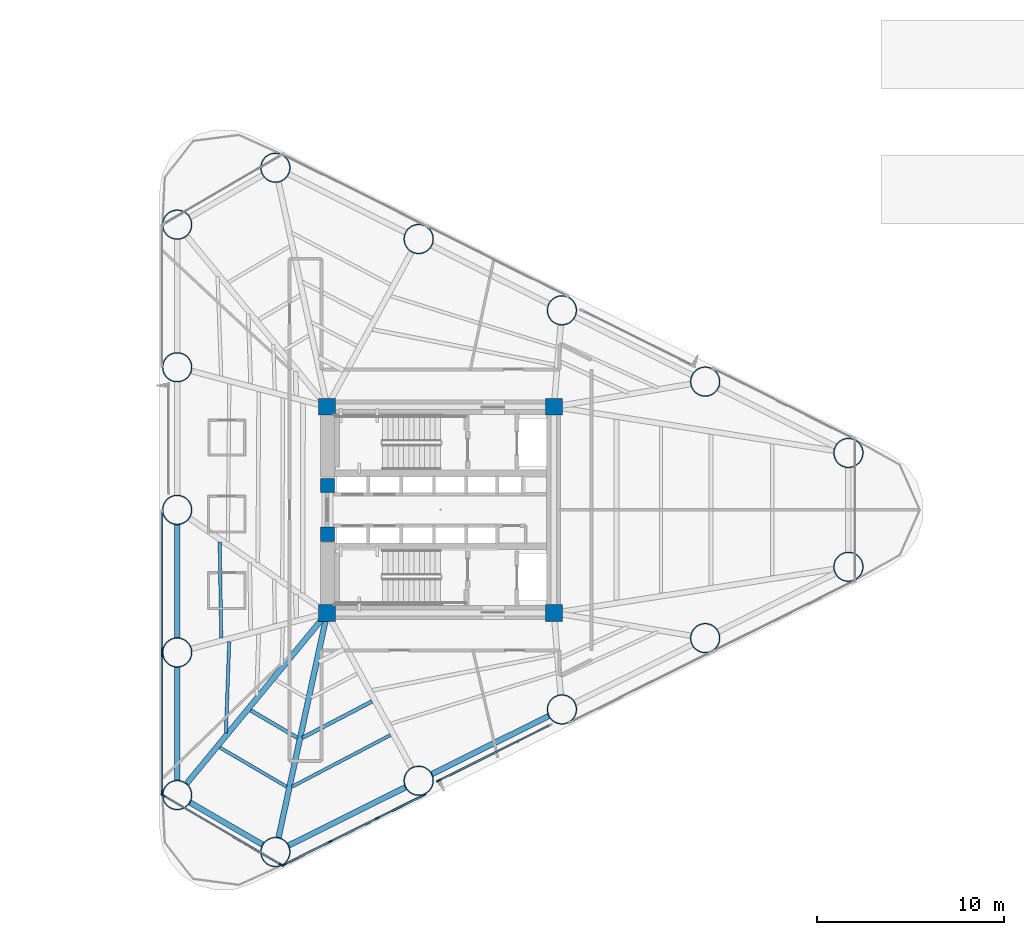
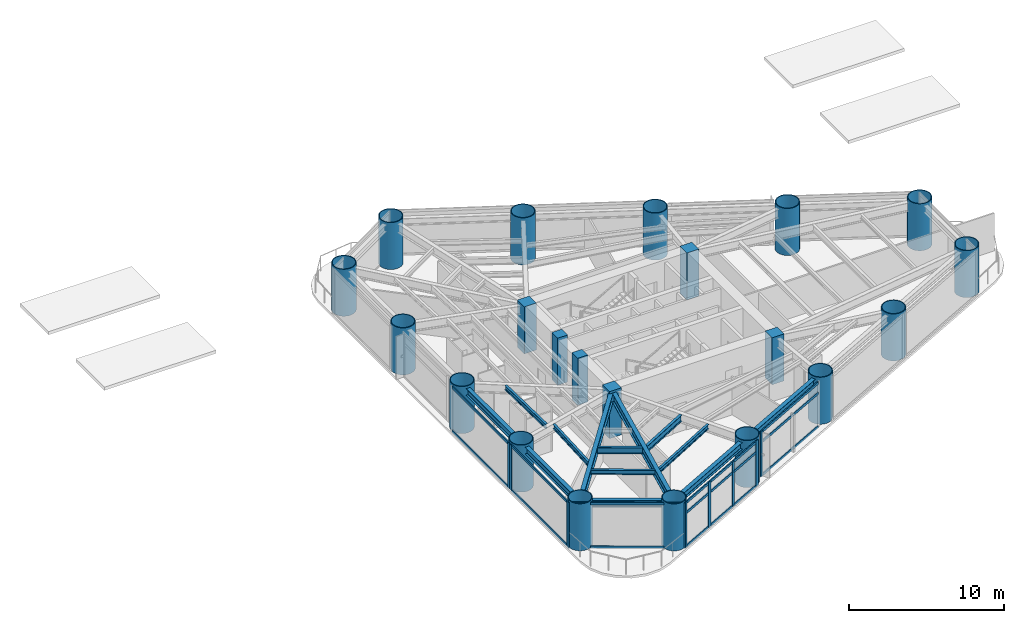
# One storey, part 1 of 10: 28 members, 21 columns, 13 beams, 5 elements without a shape of their own.
"""IFC4 building model written with IfcOpenShell, lengths in metres."""

import ifcopenshell
import ifcopenshell.guid

model = None  # the IFC model being written
_history = None  # IfcOwnerHistory: only IFC2X3 demands one
_inside = {}  # id of a spatial element -> (the spatial element, [elements in it])
_under = {}  # id of a project, library or spatial element -> (it, [spatial elements below it])
_declared = {}  # id of a project -> (the project, [libraries it declares])
_typed = {}  # id of a type object -> (the type object, [elements of that type])
_made_of = {}  # id of a material, layer set ... -> (it, [elements and type objects made of it])


def new_model(schema):
    """Start an empty IFC model of exactly this schema.

    Asked for "IFC4X3", IfcOpenShell would pick the latest addendum, in which some entities
    have other attributes; the version numbers below select the first issue.
    IFC2X3 requires an IfcOwnerHistory on every rooted entity: one is made here for all.
    """
    global model, _history
    if schema == "IFC4X3":
        model = ifcopenshell.file(schema_version=(4, 3, 0, 0))
    else:
        model = ifcopenshell.file(schema=schema)
    _inside.clear()
    _under.clear()
    _declared.clear()
    _typed.clear()
    _made_of.clear()
    _history = None
    if model.schema == "IFC2X3":
        org = make("IfcOrganization", Name="unknown")
        user = make(
            "IfcPersonAndOrganization",
            ThePerson=make("IfcPerson", FamilyName="unknown"),
            TheOrganization=org,
        )
        app = make(
            "IfcApplication",
            ApplicationDeveloper=org,
            Version="unknown",
            ApplicationFullName="unknown",
            ApplicationIdentifier="unknown",
        )
        _history = make(
            "IfcOwnerHistory",
            OwningUser=user,
            OwningApplication=app,
            ChangeAction="ADDED",
            CreationDate=0,
        )
    return model


def make(cls, **values):
    """One entity of the class cls with the attributes given. An attribute that is None is left unset."""
    return model.create_entity(
        cls, **{name: value for name, value in values.items() if value is not None}
    )


def rooted(cls, **values):
    """An entity with a GlobalId (a new one), such as an element, a storey or a relation."""
    return make(cls, GlobalId=ifcopenshell.guid.new(), OwnerHistory=_history, **values)


def si_unit(unit_type, name, prefix=None):
    """IfcSIUnit, for example si_unit("LENGTHUNIT", "METRE", prefix="MILLI")."""
    return make("IfcSIUnit", UnitType=unit_type, Prefix=prefix, Name=name)


def assignment(units):
    """IfcUnitAssignment: the units of a project."""
    return None if units is None else make("IfcUnitAssignment", Units=units)


def point(xyz):
    """IfcCartesianPoint."""
    return None if xyz is None else make("IfcCartesianPoint", Coordinates=xyz)


def direction(xyz):
    """IfcDirection."""
    return None if xyz is None else make("IfcDirection", DirectionRatios=xyz)


def frame(location, z_axis=None, x_axis=None):
    """IfcAxis2Placement3D, a coordinate frame: its origin and axes. An axis left out is left unset."""
    return make(
        "IfcAxis2Placement3D",
        Location=point(location),
        Axis=direction(z_axis),
        RefDirection=direction(x_axis),
    )


def frame_2d(location, x_axis=None):
    """IfcAxis2Placement2D, a coordinate frame in the plane: its origin and x axis."""
    return make(
        "IfcAxis2Placement2D", Location=point(location), RefDirection=direction(x_axis)
    )


def origin():
    """The frame at (0, 0, 0) with its axes left unset."""
    return frame((0.0, 0.0, 0.0))


def origin_2d():
    """The frame at (0, 0) in the plane with its x axis left unset."""
    return frame_2d((0.0, 0.0))


def place(relative_to, where):
    """IfcLocalPlacement: puts the frame where relative to a parent placement (None: the world)."""
    return make(
        "IfcLocalPlacement", PlacementRelTo=relative_to, RelativePlacement=where
    )


def context(
    kind, dimensions, precision=None, world=None, true_north=None, identifier=None
):
    """IfcGeometricRepresentationContext, for example the 3D "Model" context."""
    return make(
        "IfcGeometricRepresentationContext",
        ContextIdentifier=identifier,
        ContextType=kind,
        CoordinateSpaceDimension=dimensions,
        Precision=precision,
        WorldCoordinateSystem=world,
        TrueNorth=true_north,
    )


def subcontext(parent, identifier, kind, view, scale=None):
    """IfcGeometricRepresentationSubContext, for example "Body" below "Model"."""
    return make(
        "IfcGeometricRepresentationSubContext",
        ContextIdentifier=identifier,
        ContextType=kind,
        ParentContext=parent,
        TargetScale=scale,
        TargetView=view,
    )


def project(units=None, contexts=None):
    """IfcProject with its units and contexts."""
    return rooted(
        "IfcProject",
        Name="project",
        RepresentationContexts=contexts,
        UnitsInContext=assignment(units),
    )


def spatial(cls, under=None, at=None, **own):
    """A site, building, storey or space (cls), placed at a placement, below another one or the project."""
    s = rooted(cls, ObjectPlacement=at, **own)
    if under is not None:
        _under.setdefault(under.id(), (under, []))[1].append(s)
    return s


def profile(cls, at=None, kind="AREA", **sizes):
    """A parametric profile (cls). Its sizes go by their IFC names, for example OverallWidth=200.0."""
    return make(cls, ProfileType=kind, Position=at, **sizes)


def rectangle(**sizes):
    """IfcRectangleProfileDef."""
    return profile("IfcRectangleProfileDef", **sizes)


def hollow_circle(**sizes):
    """IfcCircleHollowProfileDef."""
    return profile("IfcCircleHollowProfileDef", **sizes)


def i_section(**sizes):
    """IfcIShapeProfileDef."""
    return profile("IfcIShapeProfileDef", **sizes)


def extrude(swept, where, along, depth):
    """IfcExtrudedAreaSolid: the profile swept, set in the frame where, extruded along a direction by depth."""
    return make(
        "IfcExtrudedAreaSolid",
        SweptArea=swept,
        Position=where,
        ExtrudedDirection=direction(along),
        Depth=depth,
    )


def shape(context_of_items, identifier, shape_type, items):
    """IfcShapeRepresentation: the items that make up one representation, for example the "Body"."""
    return make(
        "IfcShapeRepresentation",
        ContextOfItems=context_of_items,
        RepresentationIdentifier=identifier,
        RepresentationType=shape_type,
        Items=items,
    )


def source(mapping_origin, context_of_items, identifier, shape_type, items):
    """IfcRepresentationMap: a shape defined once, which mapped items show again and again."""
    return make(
        "IfcRepresentationMap",
        MappingOrigin=mapping_origin,
        MappedRepresentation=shape(context_of_items, identifier, shape_type, items),
    )


def transform(
    local_origin,
    x_axis=None,
    y_axis=None,
    z_axis=None,
    scale=None,
    scale2=None,
    scale3=None,
    uniform=True,
):
    """IfcCartesianTransformationOperator3D, or its non-uniform kind. x_axis, y_axis, z_axis: its Axis1, 2, 3."""
    if uniform:
        return make(
            "IfcCartesianTransformationOperator3D",
            Axis1=direction(x_axis),
            Axis2=direction(y_axis),
            LocalOrigin=point(local_origin),
            Scale=scale,
            Axis3=direction(z_axis),
        )
    return make(
        "IfcCartesianTransformationOperator3DnonUniform",
        Axis1=direction(x_axis),
        Axis2=direction(y_axis),
        LocalOrigin=point(local_origin),
        Scale=scale,
        Axis3=direction(z_axis),
        Scale2=scale2,
        Scale3=scale3,
    )


def mapped(mapping_source, mapping_target):
    """IfcMappedItem: shows the shape of a source again, moved by a transform."""
    return make(
        "IfcMappedItem", MappingSource=mapping_source, MappingTarget=mapping_target
    )


def material(Name=None, Category=None):
    """IfcMaterial."""
    return make("IfcMaterial", Name=Name, Category=Category)


def layer(
    of_material, thickness, ventilated=None, Name=None, Category=None, Priority=None
):
    """IfcMaterialLayer: one layer of a wall or slab, of a material (None: an air gap)."""
    return make(
        "IfcMaterialLayer",
        Material=of_material,
        LayerThickness=thickness,
        IsVentilated=ventilated,
        Name=Name,
        Category=Category,
        Priority=Priority,
    )


def layer_set(layers, Name=None):
    """IfcMaterialLayerSet."""
    return make("IfcMaterialLayerSet", MaterialLayers=layers, LayerSetName=Name)


def material_profile(
    of_material, cross_section, Name=None, Category=None, Priority=None
):
    """IfcMaterialProfile: a cross section and its material."""
    return make(
        "IfcMaterialProfile",
        Name=Name,
        Material=of_material,
        Profile=cross_section,
        Priority=Priority,
        Category=Category,
    )


def profile_set(profiles, Name=None, composite=None):
    """IfcMaterialProfileSet."""
    return make(
        "IfcMaterialProfileSet",
        Name=Name,
        MaterialProfiles=profiles,
        CompositeProfile=composite,
    )


def made_of(thing, what):
    """Note that an element or type object is made of a material, layer set ...; save() writes the relation."""
    if what is not None:
        _made_of.setdefault(what.id(), (what, []))[1].append(thing)
    return thing


def type_object(cls, material=None, **own):
    """A type object (cls), such as IfcWallType, which elements share."""
    return made_of(rooted(cls, **own), material)


def element(
    cls,
    number,
    at=None,
    inside=None,
    cuts=None,
    type_object=None,
    material=None,
    context=None,
    identifier="Body",
    shape_type=None,
    held_by="IfcProductDefinitionShape",
    body=None,
    shapes=None,
    **own,
):
    """One element of the class cls, such as IfcWall. Its Tag is "e" and its number.

    at: its placement. inside: the storey or other place that contains it. cuts: it is an
    opening in that element (IfcRelVoidsElement). A single representation is given by context,
    identifier, shape_type and body (its items); several are given by shapes. held_by: the class
    of the entity that holds the representations. save() writes the other relations.
    """
    e = rooted(cls, Tag="e%d" % number, ObjectPlacement=at, **own)
    if body is not None:
        shapes = [shape(context, identifier, shape_type, body)]
    if shapes is not None:
        e.Representation = make(held_by, Representations=shapes)
    if inside is not None:
        _inside.setdefault(inside.id(), (inside, []))[1].append(e)
    if cuts is not None:
        rooted(
            "IfcRelVoidsElement", RelatingBuildingElement=cuts, RelatedOpeningElement=e
        )
    if type_object is not None:
        _typed.setdefault(type_object.id(), (type_object, []))[1].append(e)
    return made_of(e, material)


def aggregate(whole, parts):
    """IfcRelAggregates: a whole, such as a stair, and the parts it consists of."""
    return rooted("IfcRelAggregates", RelatingObject=whole, RelatedObjects=parts)


def save(model, path):
    """Write the relations noted so far, then the file.

    IfcRelAggregates (storeys below a building ...), IfcRelContainedInSpatialStructure (elements
    in a storey), IfcRelDefinesByType, IfcRelAssociatesMaterial and IfcRelDeclares: one each for
    every whole, place, type object, material and project.
    """
    for whole, parts in _under.values():
        aggregate(whole, parts)
    for where, things in _inside.values():
        rooted(
            "IfcRelContainedInSpatialStructure",
            RelatedElements=things,
            RelatingStructure=where,
        )
    for kind, things in _typed.values():
        rooted("IfcRelDefinesByType", RelatedObjects=things, RelatingType=kind)
    for what, things in _made_of.values():
        rooted("IfcRelAssociatesMaterial", RelatedObjects=things, RelatingMaterial=what)
    for by, libraries in _declared.values():
        rooted("IfcRelDeclares", RelatingContext=by, RelatedDefinitions=libraries)
    model.write(path)


model = new_model("IFC4")

# Units and contexts
model_context = context("Model", 3, precision=1e-05, world=origin(), true_north=direction((0.0, 1.0)))
body_context = subcontext(model_context, "Body", "Model", "MODEL_VIEW")
ifc_project = project(units=[si_unit("LENGTHUNIT", "METRE"), si_unit("AREAUNIT", "SQUARE_METRE"), si_unit("VOLUMEUNIT", "CUBIC_METRE"), si_unit("PLANEANGLEUNIT", "RADIAN"), si_unit("MASSUNIT", "GRAM", prefix="KILO")], contexts=[model_context])

# Site, building, storey
site_placement = place(None, origin())
site = spatial("IfcSite", under=ifc_project, at=site_placement, CompositionType="ELEMENT")
building_placement = place(site_placement, origin())
building = spatial("IfcBuilding", under=site, at=building_placement, Name="Yunling Apex Tower", CompositionType="ELEMENT")
storey_placement = place(building_placement, frame((0.0, 0.0, 23.800048828125)))
storey = spatial("IfcBuildingStorey", under=building, at=storey_placement, Name="L07", CompositionType="ELEMENT", Elevation=23.800048828125)

# Columns
ifc_material_1 = material(Name="Concrete C60", Category="concrete")
ifc_material_profile_1 = material_profile(ifc_material_1, rectangle(XDim=0.89990234375, YDim=0.89990234375, at=origin_2d()))
ifc_profile_set_1 = profile_set([ifc_material_profile_1], Name="Concrete C60")
column_type_1 = type_object("IfcColumnType", Name="PC-SRC-3", PredefinedType="COLUMN", material=ifc_profile_set_1)
shared_shape_1 = source(origin(), body_context, "Body", "SweptSolid", [
    extrude(rectangle(XDim=0.89990234375, YDim=0.89990234375, at=origin_2d()), origin(), (0.0, 0.0, 1.0), 3.699951171875),
])
for number, where, z_axis, x_axis, name in (
    (1, (-6.050048828125, -5.5, 0.0), (0.0, 0.0, 1.0), (1.0, 0.0, 0.0), "L07 Core Spine Column CC-SW"),
    (2, (6.050048828125, -5.5, 0.0), (0.0, 0.0, 1.0), (1.0, 0.0, 0.0), "L07 Core Spine Column CC-SE"),
    (3, (6.050048828125, 5.5, 0.0), (0.0, 0.0, 1.0), (1.0, 0.0, 0.0), "L07 Core Spine Column CC-NE"),
    (4, (-6.050048828125, 5.5, 0.0), (0.0, 0.0, 1.0), (1.0, 0.0, 0.0), "L07 Core Spine Column CC-NW"),
):
    element("IfcColumn", number, at=place(storey_placement, frame(where, z_axis=z_axis, x_axis=x_axis)), inside=storey, type_object=column_type_1, Name=name, PredefinedType="COLUMN", context=body_context, shape_type="MappedRepresentation", body=[
        mapped(shared_shape_1, transform((0.0, 0.0, 0.0), scale=1.0)),
    ])
ifc_material_2 = material(Name="Concrete C50", Category="concrete")
ifc_material_profile_2 = material_profile(ifc_material_2, rectangle(XDim=0.75, YDim=0.75, at=origin_2d()))
ifc_profile_set_2 = profile_set([ifc_material_profile_2], Name="Concrete C50")
column_type_2 = type_object("IfcColumnType", Name="PC-SRC-4", PredefinedType="COLUMN", material=ifc_profile_set_2)
shared_shape_2 = source(origin(), body_context, "Body", "SweptSolid", [
    extrude(rectangle(XDim=0.75, YDim=0.75, at=origin_2d()), origin(), (0.0, 0.0, 1.0), 3.699951171875),
])
for number, where, z_axis, x_axis, name in (
    (5, (-6.02490234375, -1.300048828125, 0.0), (0.0, 0.0, 1.0), (1.0, 0.0, 0.0), "L07 Core West Portal Jamb Column S"),
    (6, (-6.02490234375, 1.300048828125, 0.0), (0.0, 0.0, 1.0), (1.0, 0.0, 0.0), "L07 Core West Portal Jamb Column N"),
):
    element("IfcColumn", number, at=place(storey_placement, frame(where, z_axis=z_axis, x_axis=x_axis)), inside=storey, type_object=column_type_2, Name=name, PredefinedType="COLUMN", context=body_context, shape_type="MappedRepresentation", body=[
        mapped(shared_shape_2, transform((0.0, 0.0, 0.0), scale=1.0)),
    ])
ifc_material_3 = material(Name="Steel Q390GJC", Category="steel")
ifc_material_profile_3 = material_profile(ifc_material_3, hollow_circle(Radius=0.800048828125, WallThickness=0.054931640625, at=origin_2d()))
ifc_profile_set_3 = profile_set([ifc_material_profile_3], Name="Steel Q390GJC")
column_type_3 = type_object("IfcColumnType", Name="MC-CFST-1", PredefinedType="COLUMN", material=ifc_profile_set_3)
shared_shape_3 = source(origin(), body_context, "Body", "SweptSolid", [
    extrude(hollow_circle(Radius=0.800048828125, WallThickness=0.054931640625, at=origin_2d()), origin(), (0.0, 0.0, 1.0), 3.699951171875),
])
for number, where, z_axis, x_axis, name in (
    (7, (-8.8115234375, -18.2578125, 0.0), (0.0, 0.0, 1.0), (1.0, 0.0, 0.0), "L07 Perimeter CFST Mega-Column P01"),
    (8, (-1.1669921875, -14.453125, 0.0), (0.0, 0.0, 1.0), (1.0, 0.0, 0.0), "L07 Perimeter CFST Mega-Column P02"),
    (9, (6.477294921875, -10.648193359375, 0.0), (0.0, 0.0, 1.0), (1.0, 0.0, 0.0), "L07 Perimeter CFST Mega-Column P03"),
    (10, (14.121826171875, -6.843505859375, 0.0), (0.0, 0.0, 1.0), (1.0, 0.0, 0.0), "L07 Perimeter CFST Mega-Column P04"),
    (11, (21.76611328125, -3.038818359375, 0.0), (0.0, 0.0, 1.0), (1.0, 0.0, 0.0), "L07 Perimeter CFST Mega-Column P05"),
    (12, (21.76611328125, 3.038818359375, 0.0), (0.0, 0.0, 1.0), (1.0, 0.0, 0.0), "L07 Perimeter CFST Mega-Column P06"),
    (13, (14.121826171875, 6.843505859375, 0.0), (0.0, 0.0, 1.0), (1.0, 0.0, 0.0), "L07 Perimeter CFST Mega-Column P07"),
    (14, (6.477294921875, 10.648193359375, 0.0), (0.0, 0.0, 1.0), (1.0, 0.0, 0.0), "L07 Perimeter CFST Mega-Column P08"),
    (15, (-1.1669921875, 14.453125, 0.0), (0.0, 0.0, 1.0), (1.0, 0.0, 0.0), "L07 Perimeter CFST Mega-Column P09"),
    (16, (-8.8115234375, 18.2578125, 0.0), (0.0, 0.0, 1.0), (1.0, 0.0, 0.0), "L07 Perimeter CFST Mega-Column P10"),
    (17, (-14.052001953125, 15.218994140625, 0.0), (0.0, 0.0, 1.0), (1.0, 0.0, 0.0), "L07 Perimeter CFST Mega-Column P11"),
    (18, (-14.052001953125, 7.609619140625, 0.0), (0.0, 0.0, 1.0), (1.0, 0.0, 0.0), "L07 Perimeter CFST Mega-Column P12"),
    (19, (-14.052001953125, 0.0, 0.0), (0.0, 0.0, 1.0), (1.0, 0.0, 0.0), "L07 Perimeter CFST Mega-Column P13"),
    (20, (-14.052001953125, -7.609619140625, 0.0), (0.0, 0.0, 1.0), (1.0, 0.0, 0.0), "L07 Perimeter CFST Mega-Column P14"),
    (21, (-14.052001953125, -15.218994140625, 0.0), (0.0, 0.0, 1.0), (1.0, 0.0, 0.0), "L07 Perimeter CFST Mega-Column P15"),
):
    element("IfcColumn", number, at=place(storey_placement, frame(where, z_axis=z_axis, x_axis=x_axis)), inside=storey, type_object=column_type_3, Name=name, PredefinedType="COLUMN", context=body_context, shape_type="MappedRepresentation", body=[
        mapped(shared_shape_3, transform((0.0, 0.0, 0.0), scale=1.0)),
    ])

# Beams
ifc_material_4 = material(Name="Steel Q355B", Category="steel")
ifc_material_profile_4 = material_profile(ifc_material_4, i_section(OverallWidth=0.300048828125, OverallDepth=0.5400390625, WebThickness=0.011962890625, FlangeThickness=0.02001953125, FilletRadius=0.02392578125, at=origin_2d()))
ifc_profile_set_4 = profile_set([ifc_material_profile_4], Name="Steel Q355B")
beam_type_1 = type_object("IfcBeamType", Name="BP-SPN-1", PredefinedType="SPANDREL", material=ifc_profile_set_4)
shared_shape_4 = source(origin(), body_context, "Body", "SweptSolid", [
    extrude(i_section(OverallWidth=0.300048828125, OverallDepth=0.5400390625, WebThickness=0.011962890625, FlangeThickness=0.02001953125, FilletRadius=0.02392578125, at=origin_2d()), origin(), (0.0, 0.0, 1.0), 6.950927734375),
])
for number, where, z_axis, x_axis, name in (
    (22, (-8.1005859375, -17.904052734375, 3.244873046875), (0.89524058306, 0.445583099368, 0.0), (-0.445583099368, 0.89524058306, 0.0), "L07 Perimeter Spandrel Beam 1"),
    (23, (-0.456298828125, -14.099365234375, 3.244873046875), (0.895247556401, 0.445569088646, 0.0), (-0.445569088646, 0.895247556401, 0.0), "L07 Perimeter Spandrel Beam 2"),
):
    element("IfcBeam", number, at=place(storey_placement, frame(where, z_axis=z_axis, x_axis=x_axis)), inside=storey, type_object=beam_type_1, Name=name, PredefinedType="SPANDREL", context=body_context, shape_type="MappedRepresentation", body=[
        mapped(shared_shape_4, transform((0.0, 0.0, 0.0), scale=1.0)),
    ])
shared_shape_5 = source(origin(), body_context, "Body", "SweptSolid", [
    extrude(i_section(OverallWidth=0.300048828125, OverallDepth=0.5400390625, WebThickness=0.011962890625, FlangeThickness=0.02001953125, FilletRadius=0.02392578125, at=origin_2d()), origin(), (0.0, 0.0, 1.0), 4.469970703125),
])
beam_1_placement = place(storey_placement, frame((-13.364990234375, -15.6171875, 3.244873046875), z_axis=(0.865055841155, -0.501675584102, 0.0), x_axis=(0.501675584102, 0.865055841155, 0.0)))
element("IfcBeam", 24, at=beam_1_placement, inside=storey, type_object=beam_type_1, Name="L07 Perimeter Spandrel Beam 15", PredefinedType="SPANDREL", context=body_context, shape_type="MappedRepresentation", body=[
    mapped(shared_shape_5, transform((0.0, 0.0, 0.0), scale=1.0)),
])
shared_shape_6 = source(origin(), body_context, "Body", "SweptSolid", [
    extrude(i_section(OverallWidth=0.300048828125, OverallDepth=0.5400390625, WebThickness=0.011962890625, FlangeThickness=0.02001953125, FilletRadius=0.02392578125, at=origin_2d()), origin(), (0.0, 0.0, 1.0), 6.021240234375),
])
beam_2_placement = place(storey_placement, frame((-14.052001953125, -8.403564453125, 3.244873046875), z_axis=(0.0, -1.0, 0.0), x_axis=(1.0, 0.0, 0.0)))
element("IfcBeam", 25, at=beam_2_placement, inside=storey, type_object=beam_type_1, Name="L07 Perimeter Spandrel Beam 14", PredefinedType="SPANDREL", context=body_context, shape_type="MappedRepresentation", body=[
    mapped(shared_shape_6, transform((0.0, 0.0, 0.0), scale=1.0)),
])
shared_shape_7 = source(origin(), body_context, "Body", "SweptSolid", [
    extrude(i_section(OverallWidth=0.300048828125, OverallDepth=0.5400390625, WebThickness=0.011962890625, FlangeThickness=0.02001953125, FilletRadius=0.02392578125, at=origin_2d()), origin(), (0.0, 0.0, 1.0), 6.021484375),
])
beam_3_placement = place(storey_placement, frame((-14.052001953125, -0.7939453125, 3.244873046875), z_axis=(0.0, -1.0, 0.0), x_axis=(1.0, 0.0, 0.0)))
element("IfcBeam", 26, at=beam_3_placement, inside=storey, type_object=beam_type_1, Name="L07 Perimeter Spandrel Beam 13", PredefinedType="SPANDREL", context=body_context, shape_type="MappedRepresentation", body=[
    mapped(shared_shape_7, transform((0.0, 0.0, 0.0), scale=1.0)),
])
ifc_material_profile_5 = material_profile(ifc_material_4, i_section(OverallWidth=0.300048828125, OverallDepth=0.699951171875, WebThickness=0.012939453125, FlangeThickness=0.02392578125, FilletRadius=0.02587890625, at=origin_2d()))
ifc_profile_set_5 = profile_set([ifc_material_profile_5], Name="Steel Q355B")
beam_type_2 = type_object("IfcBeamType", Name="BG-PRI-3", PredefinedType="USERDEFINED", material=ifc_profile_set_5)
shared_shape_8 = source(origin(), body_context, "Body", "SweptSolid", [
    extrude(i_section(OverallWidth=0.300048828125, OverallDepth=0.699951171875, WebThickness=0.012939453125, FlangeThickness=0.02392578125, FilletRadius=0.02587890625, at=origin_2d()), origin(), (0.0, 0.0, 1.0), 12.165283203125),
])
beam_4_placement = place(storey_placement, frame((-8.640625, -17.468017578125, 3.1650390625), z_axis=(0.2115638914, 0.977364169517, 0.0), x_axis=(-0.977364169517, 0.2115638914, 0.0)))
element("IfcBeam", 27, at=beam_4_placement, inside=storey, type_object=beam_type_2, Name="L07 Radial Primary Girder R01", ObjectType="GIRDER", PredefinedType="USERDEFINED", context=body_context, shape_type="MappedRepresentation", body=[
    mapped(shared_shape_8, transform((0.0, 0.0, 0.0), scale=1.0)),
])
shared_shape_9 = source(origin(), body_context, "Body", "SweptSolid", [
    extrude(i_section(OverallWidth=0.300048828125, OverallDepth=0.699951171875, WebThickness=0.012939453125, FlangeThickness=0.02392578125, FilletRadius=0.02587890625, at=origin_2d()), origin(), (0.0, 0.0, 1.0), 11.701171875),
])
beam_5_placement = place(storey_placement, frame((-13.538330078125, -14.59521484375, 3.1650390625), z_axis=(0.635615100524, 0.772006116547, 0.0), x_axis=(-0.772006116547, 0.635615100524, 0.0)))
element("IfcBeam", 28, at=beam_5_placement, inside=storey, type_object=beam_type_2, Name="L07 Radial Primary Girder R15", ObjectType="GIRDER", PredefinedType="USERDEFINED", context=body_context, shape_type="MappedRepresentation", body=[
    mapped(shared_shape_9, transform((0.0, 0.0, 0.0), scale=1.0)),
])
ifc_material_profile_6 = material_profile(ifc_material_4, i_section(OverallWidth=0.199951171875, OverallDepth=0.5, WebThickness=0.010009765625, FlangeThickness=0.01611328125, FilletRadius=0.02001953125, at=origin_2d()))
ifc_profile_set_6 = profile_set([ifc_material_profile_6], Name="Steel Q355B")
beam_type_3 = type_object("IfcBeamType", Name="BS-SEC-2", PredefinedType="BEAM", material=ifc_profile_set_6)
shared_shape_10 = source(origin(), body_context, "Body", "SweptSolid", [
    extrude(i_section(OverallWidth=0.199951171875, OverallDepth=0.5, WebThickness=0.010009765625, FlangeThickness=0.01611328125, FilletRadius=0.02001953125, at=origin_2d()), origin(), (0.0, 0.0, 1.0), 4.186279296875),
])
beam_6_placement = place(storey_placement, frame((-7.366455078125, -12.162353515625, 3.264892578125), z_axis=(0.886028927656, 0.463629959512, 0.0), x_axis=(-0.463629959512, 0.886028927656, 0.0)))
element("IfcBeam", 29, at=beam_6_placement, inside=storey, type_object=beam_type_3, Name="L07 Composite Floor Beam BS-1", PredefinedType="BEAM", context=body_context, shape_type="MappedRepresentation", body=[
    mapped(shared_shape_10, transform((0.0, 0.0, 0.0), scale=1.0)),
])
ifc_material_profile_7 = material_profile(ifc_material_4, i_section(OverallWidth=0.175048828125, OverallDepth=0.35009765625, WebThickness=0.007080078125, FlangeThickness=0.010986328125, FilletRadius=0.013916015625, at=origin_2d()))
ifc_profile_set_7 = profile_set([ifc_material_profile_7], Name="Steel Q355B")
beam_type_4 = type_object("IfcBeamType", Name="BJ-JST-1", PredefinedType="JOIST", material=ifc_profile_set_7)
shared_shape_11 = source(origin(), body_context, "Body", "SweptSolid", [
    extrude(i_section(OverallWidth=0.175048828125, OverallDepth=0.35009765625, WebThickness=0.007080078125, FlangeThickness=0.010986328125, FilletRadius=0.013916015625, at=origin_2d()), origin(), (0.0, 0.0, 1.0), 5.935791015625),
])
beam_7_placement = place(storey_placement, frame((-7.9326171875, -14.778076171875, 3.33984375), z_axis=(0.885494794786, 0.464649296144, 0.0), x_axis=(-0.464649296144, 0.885494794786, 0.0)))
element("IfcBeam", 30, at=beam_7_placement, inside=storey, type_object=beam_type_4, Name="L07 Composite Floor Joist BJ1-1", PredefinedType="JOIST", context=body_context, shape_type="MappedRepresentation", body=[
    mapped(shared_shape_11, transform((0.0, 0.0, 0.0), scale=1.0)),
])
shared_shape_12 = source(origin(), body_context, "Body", "SweptSolid", [
    extrude(i_section(OverallWidth=0.175048828125, OverallDepth=0.35009765625, WebThickness=0.007080078125, FlangeThickness=0.010986328125, FilletRadius=0.013916015625, at=origin_2d()), origin(), (0.0, 0.0, 1.0), 5.11279296875),
])
beam_8_placement = place(storey_placement, frame((-11.7841796875, -1.717041015625, 3.33984375), z_axis=(0.016092285311, -0.999870510793, 0.0), x_axis=(0.999870510793, 0.016092285311, 0.0)))
element("IfcBeam", 31, at=beam_8_placement, inside=storey, type_object=beam_type_4, Name="L07 Composite Floor Joist BJ1-13", PredefinedType="JOIST", context=body_context, shape_type="MappedRepresentation", body=[
    mapped(shared_shape_12, transform((0.0, 0.0, 0.0), scale=1.0)),
])
shared_shape_13 = source(origin(), body_context, "Body", "SweptSolid", [
    extrude(i_section(OverallWidth=0.175048828125, OverallDepth=0.35009765625, WebThickness=0.007080078125, FlangeThickness=0.010986328125, FilletRadius=0.013916015625, at=origin_2d()), origin(), (0.0, 0.0, 1.0), 4.873046875),
])
beam_9_placement = place(storey_placement, frame((-11.2763671875, -7.0361328125, 3.33984375), z_axis=(-0.035671873065, -0.999363556206, 0.0), x_axis=(0.999363556206, -0.035671873065, 0.0)))
element("IfcBeam", 32, at=beam_9_placement, inside=storey, type_object=beam_type_4, Name="L07 Composite Floor Joist BJ1-14", PredefinedType="JOIST", context=body_context, shape_type="MappedRepresentation", body=[
    mapped(shared_shape_13, transform((0.0, 0.0, 0.0), scale=1.0)),
])
shared_shape_14 = source(origin(), body_context, "Body", "SweptSolid", [
    extrude(i_section(OverallWidth=0.199951171875, OverallDepth=0.5, WebThickness=0.010009765625, FlangeThickness=0.01611328125, FilletRadius=0.02001953125, at=origin_2d()), origin(), (0.0, 0.0, 1.0), 2.876220703125),
])
beam_10_placement = place(storey_placement, frame((-10.127685546875, -10.701416015625, 3.264892578125), z_axis=(0.862779689624, -0.505580069992, 0.0), x_axis=(0.505580069992, 0.862779689624, 0.0)))
element("IfcBeam", 33, at=beam_10_placement, inside=storey, type_object=beam_type_3, Name="L07 Composite Floor Beam BS-15", PredefinedType="BEAM", context=body_context, shape_type="MappedRepresentation", body=[
    mapped(shared_shape_14, transform((0.0, 0.0, 0.0), scale=1.0)),
])
shared_shape_15 = source(origin(), body_context, "Body", "SweptSolid", [
    extrude(i_section(OverallWidth=0.175048828125, OverallDepth=0.35009765625, WebThickness=0.007080078125, FlangeThickness=0.010986328125, FilletRadius=0.013916015625, at=origin_2d()), origin(), (0.0, 0.0, 1.0), 4.117431640625),
])
beam_11_placement = place(storey_placement, frame((-11.76416015625, -12.688720703125, 3.33984375), z_axis=(0.86262392079, -0.505845797928, 0.0), x_axis=(0.505845797928, 0.86262392079, 0.0)))
element("IfcBeam", 34, at=beam_11_placement, inside=storey, type_object=beam_type_4, Name="L07 Composite Floor Joist BJ1-15", PredefinedType="JOIST", context=body_context, shape_type="MappedRepresentation", body=[
    mapped(shared_shape_15, transform((0.0, 0.0, 0.0), scale=1.0)),
])

# Curtain wall, members
ifc_material_5 = material(Name="Bronze anodised aluminium", Category="aluminium")
ifc_layer = layer(ifc_material_5, 0.260009765625)
ifc_layer_set = layer_set([ifc_layer], Name="Bronze anodised aluminium")
curtain_wall_type = type_object("IfcCurtainWallType", Name="CW-SYS-2", PredefinedType="NOTDEFINED", material=ifc_layer_set)
curtain_wall_1_placement = place(storey_placement, origin())
curtain_wall_1 = element("IfcCurtainWall", 35, at=curtain_wall_1_placement, inside=storey, type_object=curtain_wall_type, Name="CW-L07-F1-B1", PredefinedType="NOTDEFINED")
ifc_material_profile_8 = material_profile(ifc_material_5, rectangle(XDim=0.0849609375, YDim=0.260009765625, at=origin_2d()))
ifc_profile_set_8 = profile_set([ifc_material_profile_8], Name="Bronze anodised aluminium")
member_type_1 = type_object("IfcMemberType", Name="CW-MUL-2", PredefinedType="MULLION", material=ifc_profile_set_8)
shared_shape_16 = source(origin(), body_context, "Body", "SweptSolid", [
    extrude(rectangle(XDim=0.0849609375, YDim=0.260009765625, at=origin_2d()), origin(), (0.0, 0.0, 1.0), 3.614990234375),
])
member_1_placement = place(storey_placement, frame((-8.341064453125, -18.928466796875, -0.050048828125), z_axis=(0.0, 0.0, 1.0), x_axis=(-0.445570625003, 0.895246791748, 0.0)))
member_1 = element("IfcMember", 36, at=member_1_placement, type_object=member_type_1, Name="CW-SYS-2 mullion 1", PredefinedType="MULLION", context=body_context, shape_type="MappedRepresentation", body=[
    mapped(shared_shape_16, transform((0.0, 0.0, 0.0), scale=1.0)),
])
member_2_placement = place(storey_placement, frame((-5.878662109375, -17.702880859375, -0.050048828125), z_axis=(0.0, 0.0, 1.0), x_axis=(-0.445570625003, 0.895246791748, 0.0)))
member_2 = element("IfcMember", 37, at=member_2_placement, type_object=member_type_1, Name="CW-SYS-2 mullion 2", PredefinedType="MULLION", context=body_context, shape_type="MappedRepresentation", body=[
    mapped(shared_shape_16, transform((0.0, 0.0, 0.0), scale=1.0)),
])
member_3_placement = place(storey_placement, frame((-3.378173828125, -16.458251953125, -0.050048828125), z_axis=(0.0, 0.0, 1.0), x_axis=(-0.445570625003, 0.895246791748, 0.0)))
member_3 = element("IfcMember", 38, at=member_3_placement, type_object=member_type_1, Name="CW-SYS-2 mullion 3", PredefinedType="MULLION", context=body_context, shape_type="MappedRepresentation", body=[
    mapped(shared_shape_16, transform((0.0, 0.0, 0.0), scale=1.0)),
])
member_4_placement = place(storey_placement, frame((-0.915771484375, -15.23291015625, -0.050048828125), z_axis=(0.0, 0.0, 1.0), x_axis=(-0.445570625003, 0.895246791748, 0.0)))
member_4 = element("IfcMember", 39, at=member_4_placement, type_object=member_type_1, Name="CW-SYS-2 mullion 4", PredefinedType="MULLION", context=body_context, shape_type="MappedRepresentation", body=[
    mapped(shared_shape_16, transform((0.0, 0.0, 0.0), scale=1.0)),
])

# Curtain wall, member
curtain_wall_2_placement = place(storey_placement, origin())
curtain_wall_2 = element("IfcCurtainWall", 40, at=curtain_wall_2_placement, inside=storey, type_object=curtain_wall_type, Name="CW-L07-F1-B2", PredefinedType="NOTDEFINED")
member_5_placement = place(storey_placement, frame((-0.095947265625, -14.445068359375, -0.050048828125), z_axis=(0.0, 0.0, 1.0), x_axis=(-0.445582781121, 0.895240741459, 0.0)))
member_5 = element("IfcMember", 41, at=member_5_placement, type_object=member_type_1, Name="CW-SYS-2 mullion 1", PredefinedType="MULLION", context=body_context, shape_type="MappedRepresentation", body=[
    mapped(shared_shape_16, transform((0.0, 0.0, 0.0), scale=1.0)),
])

curtain_wall_3_placement = place(storey_placement, origin())
curtain_wall_3 = element("IfcCurtainWall", 42, at=curtain_wall_3_placement, inside=storey, type_object=curtain_wall_type, Name="CW-L07-F3-B3", PredefinedType="NOTDEFINED")
member_6_placement = place(storey_placement, frame((-14.862060546875, -7.487060546875, -0.050048828125), z_axis=(0.0, 0.0, 1.0), x_axis=(1.0, 0.0, 0.0)))
member_6 = element("IfcMember", 43, at=member_6_placement, type_object=member_type_1, Name="CW-SYS-2 mullion 2", PredefinedType="MULLION", context=body_context, shape_type="MappedRepresentation", body=[
    mapped(shared_shape_16, transform((0.0, 0.0, 0.0), scale=1.0)),
])

# Curtain wall, members
curtain_wall_4_placement = place(storey_placement, origin())
curtain_wall_4 = element("IfcCurtainWall", 44, at=curtain_wall_4_placement, inside=storey, type_object=curtain_wall_type, Name="CW-L07-F3-B4", PredefinedType="NOTDEFINED")
member_7_placement = place(storey_placement, frame((-14.862060546875, -7.73193359375, -0.050048828125), z_axis=(0.0, 0.0, 1.0), x_axis=(1.0, 0.0, 0.0)))
member_7 = element("IfcMember", 45, at=member_7_placement, type_object=member_type_1, Name="CW-SYS-2 mullion 1", PredefinedType="MULLION", context=body_context, shape_type="MappedRepresentation", body=[
    mapped(shared_shape_16, transform((0.0, 0.0, 0.0), scale=1.0)),
])
member_8_placement = place(storey_placement, frame((-14.862060546875, -15.096435546875, -0.050048828125), z_axis=(0.0, 0.0, 1.0), x_axis=(1.0, 0.0, 0.0)))
member_8 = element("IfcMember", 46, at=member_8_placement, type_object=member_type_1, Name="CW-SYS-2 mullion 2", PredefinedType="MULLION", context=body_context, shape_type="MappedRepresentation", body=[
    mapped(shared_shape_16, transform((0.0, 0.0, 0.0), scale=1.0)),
])

curtain_wall_5_placement = place(storey_placement, origin())
curtain_wall_5 = element("IfcCurtainWall", 47, at=curtain_wall_5_placement, inside=storey, type_object=curtain_wall_type, Name="CW-L07-CRN3", PredefinedType="NOTDEFINED")
member_9_placement = place(storey_placement, frame((-14.805419921875, -15.240478515625, -0.050048828125), z_axis=(0.0, 0.0, 1.0), x_axis=(0.506195543811, 0.86241873323, 0.0)))
member_9 = element("IfcMember", 48, at=member_9_placement, type_object=member_type_1, Name="CW-SYS-2 mullion 1", PredefinedType="MULLION", context=body_context, shape_type="MappedRepresentation", body=[
    mapped(shared_shape_16, transform((0.0, 0.0, 0.0), scale=1.0)),
])
member_10_placement = place(storey_placement, frame((-8.49609375, -18.943603515625, -0.050048828125), z_axis=(0.0, 0.0, 1.0), x_axis=(0.506195543811, 0.86241873323, 0.0)))
member_10 = element("IfcMember", 49, at=member_10_placement, type_object=member_type_1, Name="CW-SYS-2 mullion 2", PredefinedType="MULLION", context=body_context, shape_type="MappedRepresentation", body=[
    mapped(shared_shape_16, transform((0.0, 0.0, 0.0), scale=1.0)),
])

# Member
ifc_material_profile_9 = material_profile(ifc_material_5, rectangle(XDim=0.0849609375, YDim=0.199951171875, at=origin_2d()))
ifc_profile_set_9 = profile_set([ifc_material_profile_9], Name="Bronze anodised aluminium")
member_type_2 = type_object("IfcMemberType", Name="CW-TRN-2", PredefinedType="USERDEFINED", material=ifc_profile_set_9)
shared_shape_17 = source(origin(), body_context, "Body", "SweptSolid", [
    extrude(rectangle(XDim=0.0849609375, YDim=0.199951171875, at=origin_2d()), origin(), (0.0, 0.0, 1.0), 2.673828125),
])
member_11_placement = place(storey_placement, frame((-8.306640625, -18.911376953125, 0.04248046875), z_axis=(0.895247427801, 0.445569347034, 0.0), x_axis=(-0.445569347034, 0.895247427801, 0.0)))
member_11 = element("IfcMember", 50, at=member_11_placement, type_object=member_type_2, Name="CW-SYS-2 transom 1.1", ObjectType="TRANSOM", PredefinedType="USERDEFINED", context=body_context, shape_type="MappedRepresentation", body=[
    mapped(shared_shape_17, transform((0.0, 0.0, 0.0), scale=1.0)),
])

member_12_placement = place(storey_placement, frame((-8.306640625, -18.911376953125, 2.67138671875), z_axis=(0.895247427801, 0.445569347034, 0.0), x_axis=(-0.445569347034, 0.895247427801, 0.0)))
member_12 = element("IfcMember", 51, at=member_12_placement, type_object=member_type_2, Name="CW-SYS-2 transom 1.2", ObjectType="TRANSOM", PredefinedType="USERDEFINED", context=body_context, shape_type="MappedRepresentation", body=[
    mapped(shared_shape_17, transform((0.0, 0.0, 0.0), scale=1.0)),
])

member_13_placement = place(storey_placement, frame((-8.306640625, -18.911376953125, 3.472412109375), z_axis=(0.895247427801, 0.445569347034, 0.0), x_axis=(-0.445569347034, 0.895247427801, 0.0)))
member_13 = element("IfcMember", 52, at=member_13_placement, type_object=member_type_2, Name="CW-SYS-2 transom 1.3", ObjectType="TRANSOM", PredefinedType="USERDEFINED", context=body_context, shape_type="MappedRepresentation", body=[
    mapped(shared_shape_17, transform((0.0, 0.0, 0.0), scale=1.0)),
])

member_14_placement = place(storey_placement, frame((-3.343994140625, -16.44140625, 0.04248046875), z_axis=(0.895247427801, 0.445569347034, 0.0), x_axis=(-0.445569347034, 0.895247427801, 0.0)))
member_14 = element("IfcMember", 53, at=member_14_placement, type_object=member_type_2, Name="CW-SYS-2 transom 3.1", ObjectType="TRANSOM", PredefinedType="USERDEFINED", context=body_context, shape_type="MappedRepresentation", body=[
    mapped(shared_shape_17, transform((0.0, 0.0, 0.0), scale=1.0)),
])

member_15_placement = place(storey_placement, frame((-3.343994140625, -16.44140625, 2.67138671875), z_axis=(0.895247427801, 0.445569347034, 0.0), x_axis=(-0.445569347034, 0.895247427801, 0.0)))
member_15 = element("IfcMember", 54, at=member_15_placement, type_object=member_type_2, Name="CW-SYS-2 transom 3.2", ObjectType="TRANSOM", PredefinedType="USERDEFINED", context=body_context, shape_type="MappedRepresentation", body=[
    mapped(shared_shape_17, transform((0.0, 0.0, 0.0), scale=1.0)),
])

member_16_placement = place(storey_placement, frame((-3.343994140625, -16.44140625, 3.472412109375), z_axis=(0.895247427801, 0.445569347034, 0.0), x_axis=(-0.445569347034, 0.895247427801, 0.0)))
member_16 = element("IfcMember", 55, at=member_16_placement, type_object=member_type_2, Name="CW-SYS-2 transom 3.3", ObjectType="TRANSOM", PredefinedType="USERDEFINED", context=body_context, shape_type="MappedRepresentation", body=[
    mapped(shared_shape_17, transform((0.0, 0.0, 0.0), scale=1.0)),
])

shared_shape_18 = source(origin(), body_context, "Body", "SweptSolid", [
    extrude(rectangle(XDim=0.0849609375, YDim=0.199951171875, at=origin_2d()), origin(), (0.0, 0.0, 1.0), 2.716552734375),
])
member_17_placement = place(storey_placement, frame((-5.84423828125, -17.685791015625, 0.04248046875), z_axis=(0.895234593731, 0.445595132589, 0.0), x_axis=(-0.445595132589, 0.895234593731, 0.0)))
member_17 = element("IfcMember", 56, at=member_17_placement, type_object=member_type_2, Name="CW-SYS-2 transom 2.1", ObjectType="TRANSOM", PredefinedType="USERDEFINED", context=body_context, shape_type="MappedRepresentation", body=[
    mapped(shared_shape_18, transform((0.0, 0.0, 0.0), scale=1.0)),
])

member_18_placement = place(storey_placement, frame((-5.84423828125, -17.685791015625, 2.67138671875), z_axis=(0.895234593731, 0.445595132589, 0.0), x_axis=(-0.445595132589, 0.895234593731, 0.0)))
member_18 = element("IfcMember", 57, at=member_18_placement, type_object=member_type_2, Name="CW-SYS-2 transom 2.2", ObjectType="TRANSOM", PredefinedType="USERDEFINED", context=body_context, shape_type="MappedRepresentation", body=[
    mapped(shared_shape_18, transform((0.0, 0.0, 0.0), scale=1.0)),
])

member_19_placement = place(storey_placement, frame((-5.84423828125, -17.685791015625, 3.472412109375), z_axis=(0.895234593731, 0.445595132589, 0.0), x_axis=(-0.445595132589, 0.895234593731, 0.0)))
member_19 = element("IfcMember", 58, at=member_19_placement, type_object=member_type_2, Name="CW-SYS-2 transom 2.3", ObjectType="TRANSOM", PredefinedType="USERDEFINED", context=body_context, shape_type="MappedRepresentation", body=[
    mapped(shared_shape_18, transform((0.0, 0.0, 0.0), scale=1.0)),
])

aggregate(curtain_wall_1, [member_1, member_2, member_3, member_4, member_11, member_12, member_13, member_17, member_18, member_19, member_14, member_15, member_16])

shared_shape_19 = source(origin(), body_context, "Body", "SweptSolid", [
    extrude(rectangle(XDim=0.0849609375, YDim=0.199951171875, at=origin_2d()), origin(), (0.0, 0.0, 1.0), 7.239501953125),
])
member_20_placement = place(storey_placement, frame((-14.7724609375, -15.259765625, 0.04248046875), z_axis=(0.862419304353, -0.506194570772, 0.0), x_axis=(0.506194570772, 0.862419304353, 0.0)))
member_20 = element("IfcMember", 59, at=member_20_placement, type_object=member_type_2, Name="CW-SYS-2 transom 1.1", ObjectType="TRANSOM", PredefinedType="USERDEFINED", context=body_context, shape_type="MappedRepresentation", body=[
    mapped(shared_shape_19, transform((0.0, 0.0, 0.0), scale=1.0)),
])

member_21_placement = place(storey_placement, frame((-14.7724609375, -15.259765625, 3.472412109375), z_axis=(0.862419304353, -0.506194570772, 0.0), x_axis=(0.506194570772, 0.862419304353, 0.0)))
member_21 = element("IfcMember", 60, at=member_21_placement, type_object=member_type_2, Name="CW-SYS-2 transom 1.2", ObjectType="TRANSOM", PredefinedType="USERDEFINED", context=body_context, shape_type="MappedRepresentation", body=[
    mapped(shared_shape_19, transform((0.0, 0.0, 0.0), scale=1.0)),
])

aggregate(curtain_wall_5, [member_9, member_10, member_20, member_21])

shared_shape_20 = source(origin(), body_context, "Body", "SweptSolid", [
    extrude(rectangle(XDim=0.0849609375, YDim=0.199951171875, at=origin_2d()), origin(), (0.0, 0.0, 1.0), 7.287841796875),
])
member_22_placement = place(storey_placement, frame((-14.862060546875, -7.770263671875, 0.04248046875), z_axis=(0.0, -1.0, 0.0), x_axis=(1.0, 0.0, 0.0)))
member_22 = element("IfcMember", 61, at=member_22_placement, type_object=member_type_2, Name="CW-SYS-2 transom 1.1", ObjectType="TRANSOM", PredefinedType="USERDEFINED", context=body_context, shape_type="MappedRepresentation", body=[
    mapped(shared_shape_20, transform((0.0, 0.0, 0.0), scale=1.0)),
])

member_23_placement = place(storey_placement, frame((-14.862060546875, -7.770263671875, 3.472412109375), z_axis=(0.0, -1.0, 0.0), x_axis=(1.0, 0.0, 0.0)))
member_23 = element("IfcMember", 62, at=member_23_placement, type_object=member_type_2, Name="CW-SYS-2 transom 1.2", ObjectType="TRANSOM", PredefinedType="USERDEFINED", context=body_context, shape_type="MappedRepresentation", body=[
    mapped(shared_shape_20, transform((0.0, 0.0, 0.0), scale=1.0)),
])

aggregate(curtain_wall_4, [member_7, member_8, member_22, member_23])

shared_shape_21 = source(origin(), body_context, "Body", "SweptSolid", [
    extrude(rectangle(XDim=0.0849609375, YDim=0.199951171875, at=origin_2d()), origin(), (0.0, 0.0, 1.0), 7.2880859375),
])
member_24_placement = place(storey_placement, frame((-14.862060546875, -0.16064453125, 0.04248046875), z_axis=(0.0, -1.0, 0.0), x_axis=(1.0, 0.0, 0.0)))
member_24 = element("IfcMember", 63, at=member_24_placement, type_object=member_type_2, Name="CW-SYS-2 transom 1.1", ObjectType="TRANSOM", PredefinedType="USERDEFINED", context=body_context, shape_type="MappedRepresentation", body=[
    mapped(shared_shape_21, transform((0.0, 0.0, 0.0), scale=1.0)),
])

member_25_placement = place(storey_placement, frame((-14.862060546875, -0.16064453125, 3.472412109375), z_axis=(0.0, -1.0, 0.0), x_axis=(1.0, 0.0, 0.0)))
member_25 = element("IfcMember", 64, at=member_25_placement, type_object=member_type_2, Name="CW-SYS-2 transom 1.2", ObjectType="TRANSOM", PredefinedType="USERDEFINED", context=body_context, shape_type="MappedRepresentation", body=[
    mapped(shared_shape_21, transform((0.0, 0.0, 0.0), scale=1.0)),
])

aggregate(curtain_wall_3, [member_6, member_24, member_25])

shared_shape_22 = source(origin(), body_context, "Body", "SweptSolid", [
    extrude(rectangle(XDim=0.0849609375, YDim=0.199951171875, at=origin_2d()), origin(), (0.0, 0.0, 1.0), 6.53759765625),
])
member_26_placement = place(storey_placement, frame((-0.061767578125, -14.427978515625, 0.04248046875), z_axis=(0.89523980106, 0.445584670515, 0.0), x_axis=(-0.445584670515, 0.89523980106, 0.0)))
member_26 = element("IfcMember", 65, at=member_26_placement, type_object=member_type_2, Name="CW-SYS-2 transom 1.1", ObjectType="TRANSOM", PredefinedType="USERDEFINED", context=body_context, shape_type="MappedRepresentation", body=[
    mapped(shared_shape_22, transform((0.0, 0.0, 0.0), scale=1.0)),
])

member_27_placement = place(storey_placement, frame((-0.061767578125, -14.427978515625, 2.67138671875), z_axis=(0.89523980106, 0.445584670515, 0.0), x_axis=(-0.445584670515, 0.89523980106, 0.0)))
member_27 = element("IfcMember", 66, at=member_27_placement, type_object=member_type_2, Name="CW-SYS-2 transom 1.2", ObjectType="TRANSOM", PredefinedType="USERDEFINED", context=body_context, shape_type="MappedRepresentation", body=[
    mapped(shared_shape_22, transform((0.0, 0.0, 0.0), scale=1.0)),
])

member_28_placement = place(storey_placement, frame((-0.061767578125, -14.427978515625, 3.472412109375), z_axis=(0.89523980106, 0.445584670515, 0.0), x_axis=(-0.445584670515, 0.89523980106, 0.0)))
member_28 = element("IfcMember", 67, at=member_28_placement, type_object=member_type_2, Name="CW-SYS-2 transom 1.3", ObjectType="TRANSOM", PredefinedType="USERDEFINED", context=body_context, shape_type="MappedRepresentation", body=[
    mapped(shared_shape_22, transform((0.0, 0.0, 0.0), scale=1.0)),
])

aggregate(curtain_wall_2, [member_5, member_26, member_27, member_28])

save(model, "model.ifc")
